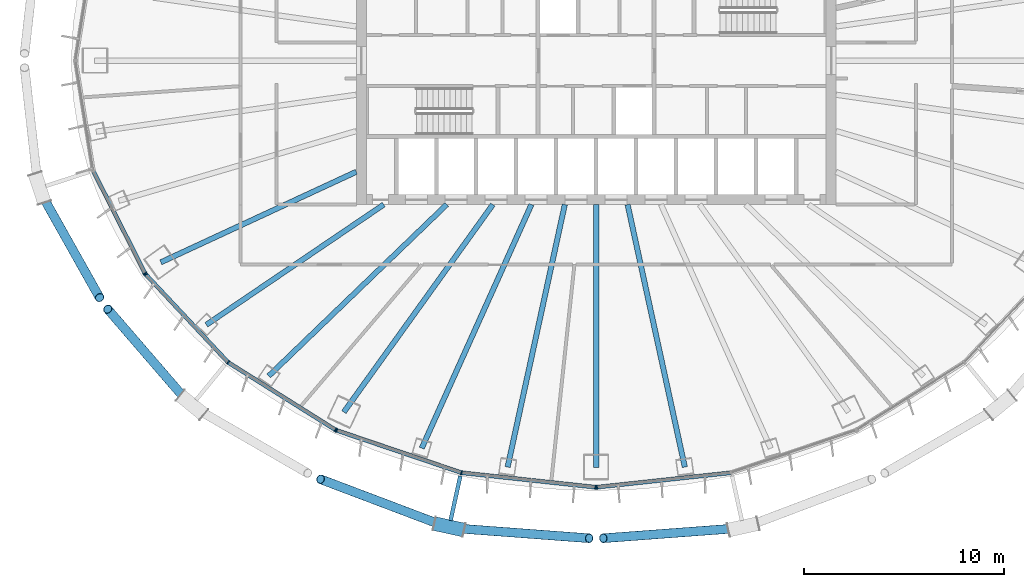
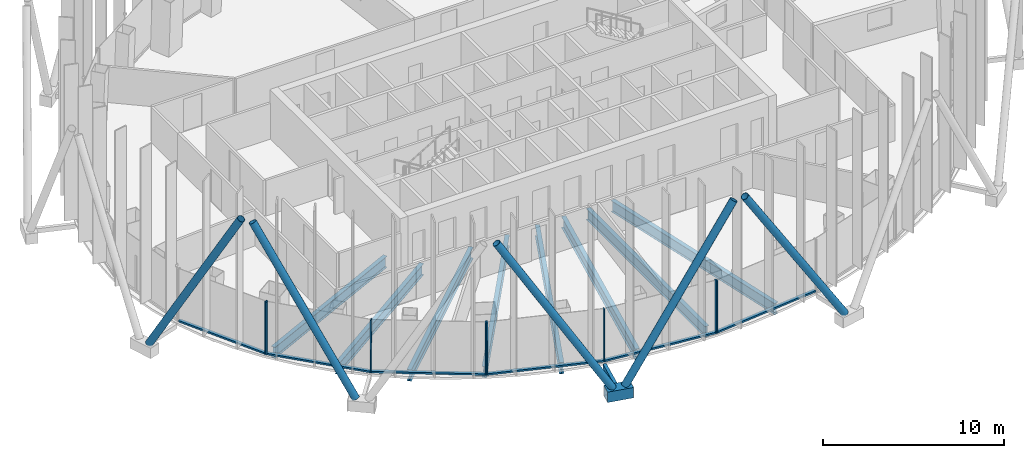
# One storey, part 2 of 19: 21 members, 8 beams, 4 elements without a shape of their own.
"""IFC4 building model written with IfcOpenShell, lengths in metres."""

from ifc_helpers import new_model, si_unit, direction, frame, origin, origin_2d, place, context, subcontext, project, spatial, rectangle, hollow_rectangle, hollow_circle, i_section, extrude, material, layer, layer_set, material_profile, profile_set, type_object, element, aggregate, save


model = new_model("IFC4")

# Units and contexts
model_context = context("Model", 3, precision=1e-05, world=origin(), true_north=direction((0.0, 1.0)))
body_context = subcontext(model_context, "Body", "Model", "MODEL_VIEW")
ifc_project = project(units=[si_unit("LENGTHUNIT", "METRE"), si_unit("AREAUNIT", "SQUARE_METRE"), si_unit("VOLUMEUNIT", "CUBIC_METRE"), si_unit("PLANEANGLEUNIT", "RADIAN"), si_unit("MASSUNIT", "GRAM", prefix="KILO")], contexts=[model_context])

# Site, building, storey
site_placement = place(None, origin())
site = spatial("IfcSite", under=ifc_project, at=site_placement, CompositionType="ELEMENT")
building_placement = place(site_placement, origin())
building = spatial("IfcBuilding", under=site, at=building_placement, Name="Siaravel Broadcast Tower", CompositionType="ELEMENT")
storey_placement = place(building_placement, frame((0.0, 0.0, 97.10009765625)))
storey = spatial("IfcBuildingStorey", under=building, at=storey_placement, Name="L22", CompositionType="ELEMENT", Elevation=97.10009765625)

# Beams
ifc_material_1 = material(Name="Steel S355", Category="steel")
ifc_material_profile_1 = material_profile(ifc_material_1, i_section(OverallWidth=0.26513671875, OverallDepth=0.75390625, WebThickness=0.0126953125, FlangeThickness=0.017578125, FilletRadius=0.0166015625, at=origin_2d()))
ifc_profile_set_1 = profile_set([ifc_material_profile_1], Name="Steel S355")
beam_type = type_object("IfcBeamType", Name="BM-UB 762x267x147", PredefinedType="BEAM", material=ifc_profile_set_1)
beam_1_placement = place(storey_placement, frame((-21.77490234375, -10.089111328125, -0.527099609375), z_axis=(0.907338227, 0.420401405, 0.0), x_axis=(-0.420401405, 0.907338227, 0.0)))
element("IfcBeam", 1, at=beam_1_placement, inside=storey, type_object=beam_type, Name="Radial beam RB22", PredefinedType="BEAM", context=body_context, shape_type="SweptSolid", body=[
    extrude(i_section(OverallWidth=0.26513671875, OverallDepth=0.75390625, WebThickness=0.0126953125, FlangeThickness=0.017578125, FilletRadius=0.0166015625, at=origin_2d()), origin(), (0.0, 0.0, 1.0), 10.773193359375),
])
beam_2_placement = place(storey_placement, frame((-19.497314453125, -13.21240234375, -0.527099609375), z_axis=(0.827824507, 0.560987153, 0.0), x_axis=(-0.560987153, 0.827824507, 0.0)))
element("IfcBeam", 2, at=beam_2_placement, inside=storey, type_object=beam_type, Name="Radial beam RB23", PredefinedType="BEAM", context=body_context, shape_type="SweptSolid", body=[
    extrude(i_section(OverallWidth=0.26513671875, OverallDepth=0.75390625, WebThickness=0.0126953125, FlangeThickness=0.017578125, FilletRadius=0.0166015625, at=origin_2d()), origin(), (0.0, 0.0, 1.0), 10.717529296875),
])
beam_3_placement = place(storey_placement, frame((-16.3759765625, -15.76904296875, -0.527099609375), z_axis=(0.720320579, 0.693641307, 0.0), x_axis=(-0.693641307, 0.720320579, 0.0)))
element("IfcBeam", 3, at=beam_3_placement, inside=storey, type_object=beam_type, Name="Radial beam RB24", PredefinedType="BEAM", context=body_context, shape_type="SweptSolid", body=[
    extrude(i_section(OverallWidth=0.26513671875, OverallDepth=0.75390625, WebThickness=0.0126953125, FlangeThickness=0.017578125, FilletRadius=0.0166015625, at=origin_2d()), origin(), (0.0, 0.0, 1.0), 12.353759765625),
])
beam_4_placement = place(storey_placement, frame((-12.62060546875, -17.578125, -0.527099609375), z_axis=(0.583215836, 0.812317234, 0.0), x_axis=(-0.812317234, 0.583215836, 0.0)))
element("IfcBeam", 4, at=beam_4_placement, inside=storey, type_object=beam_type, Name="Radial beam RB25", PredefinedType="BEAM", context=body_context, shape_type="SweptSolid", body=[
    extrude(i_section(OverallWidth=0.26513671875, OverallDepth=0.75390625, WebThickness=0.0126953125, FlangeThickness=0.017578125, FilletRadius=0.0166015625, at=origin_2d()), origin(), (0.0, 0.0, 1.0), 12.776123046875),
])
beam_5_placement = place(storey_placement, frame((-8.72607421875, -19.3857421875, -0.527099609375), z_axis=(0.410458111, 0.911879454, 0.0), x_axis=(-0.911879454, 0.410458111, 0.0)))
element("IfcBeam", 5, at=beam_5_placement, inside=storey, type_object=beam_type, Name="Radial beam RB26", PredefinedType="BEAM", context=body_context, shape_type="SweptSolid", body=[
    extrude(i_section(OverallWidth=0.26513671875, OverallDepth=0.75390625, WebThickness=0.0126953125, FlangeThickness=0.017578125, FilletRadius=0.0166015625, at=origin_2d()), origin(), (0.0, 0.0, 1.0), 13.36328125),
])
beam_6_placement = place(storey_placement, frame((-4.431884765625, -20.328125, -0.527099609375), z_axis=(0.213005928, 0.977050907, 0.0), x_axis=(-0.977050907, 0.213005928, 0.0)))
element("IfcBeam", 6, at=beam_6_placement, inside=storey, type_object=beam_type, Name="Radial beam RB27", PredefinedType="BEAM", context=body_context, shape_type="SweptSolid", body=[
    extrude(i_section(OverallWidth=0.26513671875, OverallDepth=0.75390625, WebThickness=0.0126953125, FlangeThickness=0.017578125, FilletRadius=0.0166015625, at=origin_2d()), origin(), (0.0, 0.0, 1.0), 13.4365234375),
])
beam_7_placement = place(storey_placement, frame((0.0, -20.345703125, -0.527099609375), z_axis=(0.0, 1.0, 0.0), x_axis=(-1.0, 0.0, 0.0)))
element("IfcBeam", 7, at=beam_7_placement, inside=storey, type_object=beam_type, Name="Radial beam RB28", PredefinedType="BEAM", context=body_context, shape_type="SweptSolid", body=[
    extrude(i_section(OverallWidth=0.26513671875, OverallDepth=0.75390625, WebThickness=0.0126953125, FlangeThickness=0.017578125, FilletRadius=0.0166015625, at=origin_2d()), origin(), (0.0, 0.0, 1.0), 13.145751953125),
])
beam_8_placement = place(storey_placement, frame((4.431884765625, -20.328125, -0.527099609375), z_axis=(-0.213005928, 0.977050907, 0.0), x_axis=(-0.977050907, -0.213005928, 0.0)))
element("IfcBeam", 8, at=beam_8_placement, inside=storey, type_object=beam_type, Name="Radial beam RB29", PredefinedType="BEAM", context=body_context, shape_type="SweptSolid", body=[
    extrude(i_section(OverallWidth=0.26513671875, OverallDepth=0.75390625, WebThickness=0.0126953125, FlangeThickness=0.017578125, FilletRadius=0.0166015625, at=origin_2d()), origin(), (0.0, 0.0, 1.0), 13.4365234375),
])

# Curtain wall, member
ifc_material_2 = material(Name="Aluminium 6063-T6", Category="aluminium")
ifc_layer = layer(ifc_material_2, 0.199951171875)
ifc_layer_set = layer_set([ifc_layer], Name="Aluminium 6063-T6")
curtain_wall_type = type_object("IfcCurtainWallType", Name="Unitised curtain wall, zone 2", PredefinedType="NOTDEFINED", material=ifc_layer_set)
curtain_wall_1_placement = place(storey_placement, origin())
curtain_wall_1 = element("IfcCurtainWall", 9, at=curtain_wall_1_placement, inside=storey, type_object=curtain_wall_type, Name="L22 Unitised curtain wall, zone 2 07", PredefinedType="NOTDEFINED")
ifc_material_profile_2 = material_profile(ifc_material_2, rectangle(XDim=0.199951171875, YDim=0.06494140625, at=origin_2d()))
ifc_profile_set_2 = profile_set([ifc_material_profile_2], Name="Aluminium 6063-T6")
member_type_1 = type_object("IfcMemberType", Name="CW-Z2 mullion", PredefinedType="MULLION", material=ifc_profile_set_2)
member_1_placement = place(storey_placement, frame((-22.56298828125, -10.64404296875, 0.0), z_axis=(0.0, 0.0, 1.0), x_axis=(0.892391822, 0.451261384, 0.0)))
member_1 = element("IfcMember", 10, at=member_1_placement, type_object=member_type_1, Name="CW-Z2 mullion 3", PredefinedType="MULLION", context=body_context, shape_type="SweptSolid", body=[
    extrude(rectangle(XDim=0.199951171875, YDim=0.06494140625, at=origin_2d()), origin(), (0.0, 0.0, 1.0), 3.5498046875),
])

# Curtain wall, members
curtain_wall_2_placement = place(storey_placement, origin())
curtain_wall_2 = element("IfcCurtainWall", 11, at=curtain_wall_2_placement, inside=storey, type_object=curtain_wall_type, Name="L22 Unitised curtain wall, zone 2 08", PredefinedType="NOTDEFINED")
member_2_placement = place(storey_placement, frame((-22.526123046875, -10.69677734375, 0.0), z_axis=(0.0, 0.0, 1.0), x_axis=(0.729804854, 0.683655524, 0.0)))
member_2 = element("IfcMember", 12, at=member_2_placement, type_object=member_type_1, Name="CW-Z2 mullion 1", PredefinedType="MULLION", context=body_context, shape_type="SweptSolid", body=[
    extrude(rectangle(XDim=0.199951171875, YDim=0.06494140625, at=origin_2d()), origin(), (0.0, 0.0, 1.0), 3.5498046875),
])
member_3_placement = place(storey_placement, frame((-18.408935546875, -15.091796875, 0.0), z_axis=(0.0, 0.0, 1.0), x_axis=(0.636218267, 0.771509117, 0.0)))
member_3 = element("IfcMember", 13, at=member_3_placement, type_object=member_type_1, Name="CW-Z2 mullion 2", PredefinedType="MULLION", context=body_context, shape_type="SweptSolid", body=[
    extrude(rectangle(XDim=0.199951171875, YDim=0.06494140625, at=origin_2d()), origin(), (0.0, 0.0, 1.0), 3.5498046875),
])
member_4_placement = place(storey_placement, frame((-13.043701171875, -18.464111328125, 0.0), z_axis=(0.0, 0.0, 1.0), x_axis=(0.5321489, 0.846650783, 0.0)))
member_4 = element("IfcMember", 14, at=member_4_placement, type_object=member_type_1, Name="CW-Z2 mullion 3", PredefinedType="MULLION", context=body_context, shape_type="SweptSolid", body=[
    extrude(rectangle(XDim=0.199951171875, YDim=0.06494140625, at=origin_2d()), origin(), (0.0, 0.0, 1.0), 3.5498046875),
])

curtain_wall_3_placement = place(storey_placement, origin())
curtain_wall_3 = element("IfcCurtainWall", 15, at=curtain_wall_3_placement, inside=storey, type_object=curtain_wall_type, Name="L22 Unitised curtain wall, zone 2 09", PredefinedType="NOTDEFINED")
member_5_placement = place(storey_placement, frame((-12.9853515625, -18.491943359375, 0.0), z_axis=(0.0, 0.0, 1.0), x_axis=(0.321300433, 0.946977313, 0.0)))
member_5 = element("IfcMember", 16, at=member_5_placement, type_object=member_type_1, Name="CW-Z2 mullion 1", PredefinedType="MULLION", context=body_context, shape_type="SweptSolid", body=[
    extrude(rectangle(XDim=0.199951171875, YDim=0.06494140625, at=origin_2d()), origin(), (0.0, 0.0, 1.0), 3.5498046875),
])
member_6_placement = place(storey_placement, frame((-6.7373046875, -20.61181640625, 0.0), z_axis=(0.0, 0.0, 1.0), x_axis=(0.215557941, 0.976491052, 0.0)))
member_6 = element("IfcMember", 17, at=member_6_placement, type_object=member_type_1, Name="CW-Z2 mullion 2", PredefinedType="MULLION", context=body_context, shape_type="SweptSolid", body=[
    extrude(rectangle(XDim=0.199951171875, YDim=0.06494140625, at=origin_2d()), origin(), (0.0, 0.0, 1.0), 3.5498046875),
])
member_7_placement = place(storey_placement, frame((-0.0322265625, -21.334716796875, 0.0), z_axis=(0.0, 0.0, 1.0), x_axis=(0.107217428, 0.994235597, 0.0)))
member_7 = element("IfcMember", 18, at=member_7_placement, type_object=member_type_1, Name="CW-Z2 mullion 3", PredefinedType="MULLION", context=body_context, shape_type="SweptSolid", body=[
    extrude(rectangle(XDim=0.199951171875, YDim=0.06494140625, at=origin_2d()), origin(), (0.0, 0.0, 1.0), 3.5498046875),
])

# Curtain wall, member
curtain_wall_4_placement = place(storey_placement, origin())
curtain_wall_4 = element("IfcCurtainWall", 19, at=curtain_wall_4_placement, inside=storey, type_object=curtain_wall_type, Name="L22 Unitised curtain wall, zone 2 10", PredefinedType="NOTDEFINED")
member_8_placement = place(storey_placement, frame((0.0322265625, -21.334716796875, 0.0), z_axis=(0.0, 0.0, 1.0), x_axis=(-0.107217428, 0.994235597, 0.0)))
member_8 = element("IfcMember", 20, at=member_8_placement, type_object=member_type_1, Name="CW-Z2 mullion 1", PredefinedType="MULLION", context=body_context, shape_type="SweptSolid", body=[
    extrude(rectangle(XDim=0.199951171875, YDim=0.06494140625, at=origin_2d()), origin(), (0.0, 0.0, 1.0), 3.5498046875),
])

# Member
ifc_material_profile_3 = material_profile(ifc_material_2, rectangle(XDim=0.199951171875, YDim=0.110107421875, at=origin_2d()))
ifc_profile_set_3 = profile_set([ifc_material_profile_3], Name="Aluminium 6063-T6")
member_type_2 = type_object("IfcMemberType", Name="CW-Z2 transom", PredefinedType="USERDEFINED", material=ifc_profile_set_3)
member_9_placement = place(storey_placement, frame((-25.13671875, -5.554443359375, 0.054931640625), z_axis=(0.45123882, -0.892403231, 0.0), x_axis=(0.892403231, 0.45123882, 0.0)))
member_9 = element("IfcMember", 21, at=member_9_placement, type_object=member_type_2, Name="CW-Z2 transom 2", ObjectType="TRANSOM", PredefinedType="USERDEFINED", context=body_context, shape_type="SweptSolid", body=[
    extrude(rectangle(XDim=0.199951171875, YDim=0.110107421875, at=origin_2d()), origin(), (0.0, 0.0, 1.0), 5.670654296875),
])

aggregate(curtain_wall_1, [member_1, member_9])

member_10_placement = place(storey_placement, frame((-22.50390625, -10.720458984375, 0.054931640625), z_axis=(0.6836357, -0.729823424, 0.0), x_axis=(0.729823424, 0.6836357, 0.0)))
member_10 = element("IfcMember", 22, at=member_10_placement, type_object=member_type_2, Name="CW-Z2 transom 1", ObjectType="TRANSOM", PredefinedType="USERDEFINED", context=body_context, shape_type="SweptSolid", body=[
    extrude(rectangle(XDim=0.199951171875, YDim=0.110107421875, at=origin_2d()), origin(), (0.0, 0.0, 1.0), 5.95703125),
])

member_11_placement = place(storey_placement, frame((-18.381591796875, -15.109130859375, 0.054931640625), z_axis=(0.846655089, -0.532142049, 0.0), x_axis=(0.532142049, 0.846655089, 0.0)))
member_11 = element("IfcMember", 23, at=member_11_placement, type_object=member_type_2, Name="CW-Z2 transom 2", ObjectType="TRANSOM", PredefinedType="USERDEFINED", context=body_context, shape_type="SweptSolid", body=[
    extrude(rectangle(XDim=0.199951171875, YDim=0.110107421875, at=origin_2d()), origin(), (0.0, 0.0, 1.0), 6.272216796875),
])

aggregate(curtain_wall_2, [member_2, member_3, member_4, member_10, member_11])

member_12_placement = place(storey_placement, frame((-12.95458984375, -18.502197265625, 0.054931640625), z_axis=(0.946973015, -0.321313101, 0.0), x_axis=(0.321313101, 0.946973015, 0.0)))
member_12 = element("IfcMember", 24, at=member_12_placement, type_object=member_type_2, Name="CW-Z2 transom 1", ObjectType="TRANSOM", PredefinedType="USERDEFINED", context=body_context, shape_type="SweptSolid", body=[
    extrude(rectangle(XDim=0.199951171875, YDim=0.110107421875, at=origin_2d()), origin(), (0.0, 0.0, 1.0), 6.532958984375),
])

member_13_placement = place(storey_placement, frame((-6.705078125, -20.615234375, 0.054931640625), z_axis=(0.994236043, -0.107213291, 0.0), x_axis=(0.107213291, 0.994236043, 0.0)))
member_13 = element("IfcMember", 25, at=member_13_placement, type_object=member_type_2, Name="CW-Z2 transom 2", ObjectType="TRANSOM", PredefinedType="USERDEFINED", context=body_context, shape_type="SweptSolid", body=[
    extrude(rectangle(XDim=0.199951171875, YDim=0.110107421875, at=origin_2d()), origin(), (0.0, 0.0, 1.0), 6.678955078125),
])

aggregate(curtain_wall_3, [member_5, member_6, member_7, member_12, member_13])

member_14_placement = place(storey_placement, frame((0.064697265625, -21.331298828125, 0.054931640625), z_axis=(0.994236043, 0.107213291, 0.0), x_axis=(-0.107213291, 0.994236043, 0.0)))
member_14 = element("IfcMember", 26, at=member_14_placement, type_object=member_type_2, Name="CW-Z2 transom 1", ObjectType="TRANSOM", PredefinedType="USERDEFINED", context=body_context, shape_type="SweptSolid", body=[
    extrude(rectangle(XDim=0.199951171875, YDim=0.110107421875, at=origin_2d()), origin(), (0.0, 0.0, 1.0), 6.678955078125),
])

aggregate(curtain_wall_4, [member_8, member_14])

# Members
ifc_material_3 = material(Name="Steel S460", Category="steel")
ifc_material_profile_4 = material_profile(ifc_material_3, hollow_circle(Radius=0.228515625, WallThickness=0.02001953125, at=origin_2d()))
ifc_profile_set_4 = profile_set([ifc_material_profile_4], Name="Steel S460")
member_type_3 = type_object("IfcMemberType", Name="Diagrid diagonal CHS 457x20", PredefinedType="BRACE", material=ifc_profile_set_4)
member_15_placement = place(storey_placement, frame((-27.7265625, -6.709228515625, 0.119873046875), z_axis=(0.239866967, -0.426891503, 0.871910249), x_axis=(0.871801896, 0.489858607, 0.0)))
element("IfcMember", 27, at=member_15_placement, inside=storey, type_object=member_type_3, Name="Diagrid diagonal R10 station 39A", PredefinedType="BRACE", context=body_context, shape_type="SweptSolid", body=[
    extrude(hollow_circle(Radius=0.228515625, WallThickness=0.02001953125, at=origin_2d()), origin(), (0.0, 0.0, 1.0), 12.053955078125),
])
member_16_placement = place(storey_placement, frame((-20.487548828125, -16.998291015625, 0.119873046875), z_axis=(-0.325331869, 0.377002225, 0.867195767), x_axis=(-0.757082184, -0.653319651, 0.0)))
element("IfcMember", 28, at=member_16_placement, inside=storey, type_object=member_type_3, Name="Diagrid diagonal R10 station 45C", PredefinedType="BRACE", context=body_context, shape_type="SweptSolid", body=[
    extrude(hollow_circle(Radius=0.228515625, WallThickness=0.02001953125, at=origin_2d()), origin(), (0.0, 0.0, 1.0), 12.11962890625),
])
member_17_placement = place(storey_placement, frame((-7.697021484375, -23.24072265625, 0.119873046875), z_axis=(-0.492688247, 0.186337728, 0.850021495), x_axis=(-0.353751181, -0.935339565, 0.0)))
element("IfcMember", 29, at=member_17_placement, inside=storey, type_object=member_type_3, Name="Diagrid diagonal R10 station 51C", PredefinedType="BRACE", context=body_context, shape_type="SweptSolid", body=[
    extrude(hollow_circle(Radius=0.228515625, WallThickness=0.02001953125, at=origin_2d()), origin(), (0.0, 0.0, 1.0), 12.364501953125),
])
for number, where, z_axis, x_axis, name in (
    (30, (-7.010498046875, -23.391357421875, 0.119873046875), (0.534788803, -0.03989937, 0.844043231), (0.074400932, 0.99722841, 0.0), "Diagrid diagonal R10 station 51A"),
    (31, (7.010498046875, -23.391357421875, 0.119873046875), (-0.534788803, -0.03989937, 0.844043231), (0.074400932, -0.99722841, 0.0), "Diagrid diagonal R10 station 57C"),
):
    element("IfcMember", number, at=place(storey_placement, frame(where, z_axis=z_axis, x_axis=x_axis)), inside=storey, type_object=member_type_3, Name=name, PredefinedType="BRACE", context=body_context, shape_type="SweptSolid", body=[
        extrude(hollow_circle(Radius=0.228515625, WallThickness=0.02001953125, at=origin_2d()), origin(), (0.0, 0.0, 1.0), 12.451904296875),
    ])
ifc_material_profile_5 = material_profile(ifc_material_3, hollow_rectangle(XDim=0.699951171875, YDim=0.699951171875, WallThickness=0.0400390625, at=origin_2d()))
ifc_profile_set_5 = profile_set([ifc_material_profile_5], Name="Steel S460")
member_type_4 = type_object("IfcMemberType", Name="Diagrid node BOX 700x700x40", PredefinedType="USERDEFINED", material=ifc_profile_set_5)
member_18_placement = place(storey_placement, frame((-8.089599609375, -23.154541015625, -0.2001953125), z_axis=(0.976751791, -0.214373361, 0.0), x_axis=(0.214373361, 0.976751791, 0.0)))
element("IfcMember", 32, at=member_18_placement, inside=storey, type_object=member_type_4, Name="Diagrid node R10 station 51", ObjectType="DIAGRID NODE", PredefinedType="USERDEFINED", context=body_context, shape_type="SweptSolid", body=[
    extrude(hollow_rectangle(XDim=0.699951171875, YDim=0.699951171875, WallThickness=0.0400390625, at=origin_2d()), origin(), (0.0, 0.0, 1.0), 1.506591796875),
])
ifc_material_profile_6 = material_profile(ifc_material_3, hollow_rectangle(XDim=0.199951171875, YDim=0.300048828125, WallThickness=0.012451171875, at=origin_2d()))
ifc_profile_set_6 = profile_set([ifc_material_profile_6], Name="Steel S460")
member_type_5 = type_object("IfcMemberType", Name="Diagrid node arm RHS 300x200x12.5", PredefinedType="STRUT", material=ifc_profile_set_6)
member_19_placement = place(storey_placement, frame((-6.79638671875, -20.776611328125, -0.2001953125), z_axis=(-0.214389852, -0.976748172, 0.0), x_axis=(0.976748172, -0.214389852, 0.0)))
element("IfcMember", 33, at=member_19_placement, inside=storey, type_object=member_type_5, Name="Node arm R10 station 51", PredefinedType="STRUT", context=body_context, shape_type="SweptSolid", body=[
    extrude(hollow_rectangle(XDim=0.199951171875, YDim=0.300048828125, WallThickness=0.012451171875, at=origin_2d()), origin(), (0.0, 0.0, 1.0), 2.27978515625),
])

save(model, "model.ifc")
